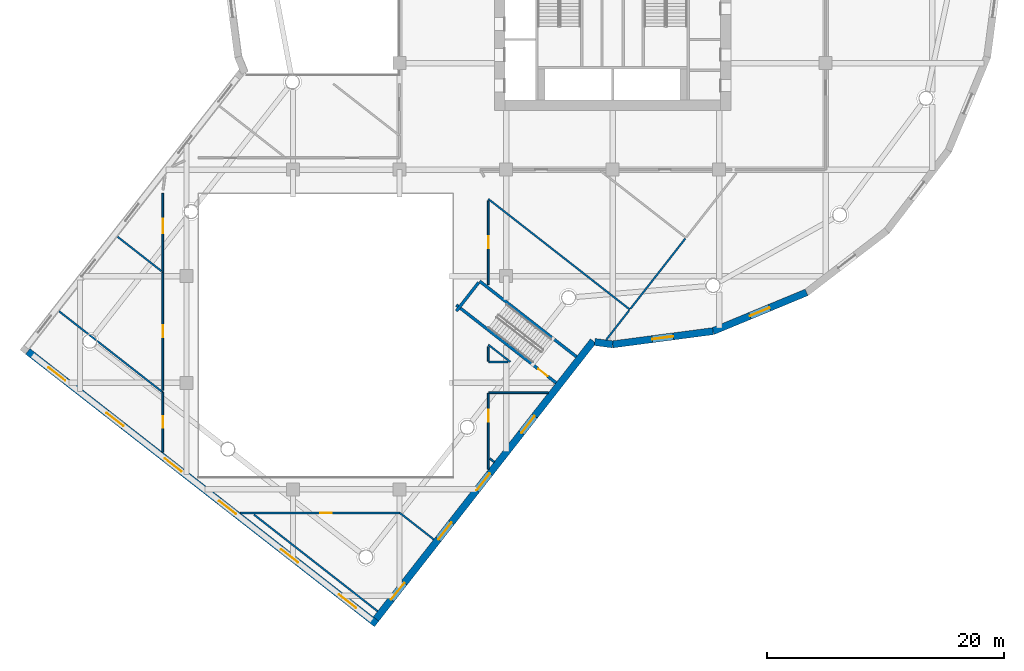
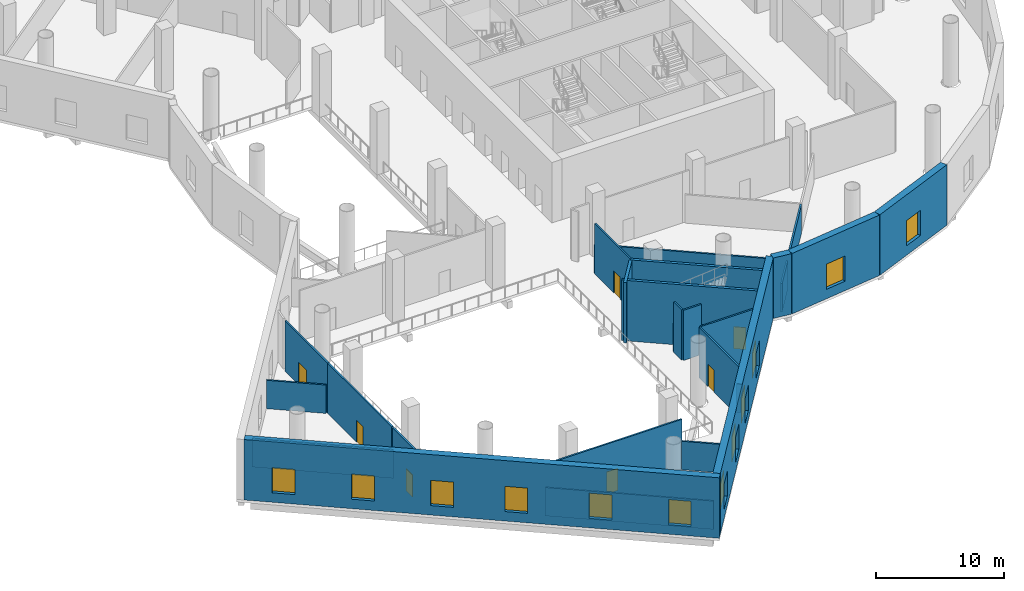
# One storey, part 4 of 24: 26 walls, 12 windows, 7 doors, 19 openings.
"""IFC4 building model written with IfcOpenShell, lengths in metres."""

from ifc_helpers import new_model, si_unit, direction, frame, frame_2d, origin, place, context, subcontext, project, spatial, rectangle, extrude, material, layer, layer_set, type_object, element, fill, save


model = new_model("IFC4")

# Units and contexts
model_context = context("Model", 3, precision=1e-05, world=origin(), true_north=direction((0.0, 1.0)))
body_context = subcontext(model_context, "Body", "Model", "MODEL_VIEW")
ifc_project = project(units=[si_unit("LENGTHUNIT", "METRE"), si_unit("AREAUNIT", "SQUARE_METRE"), si_unit("VOLUMEUNIT", "CUBIC_METRE"), si_unit("PLANEANGLEUNIT", "RADIAN"), si_unit("MASSUNIT", "GRAM", prefix="KILO")], contexts=[model_context])

# Site, building, storey
site_placement = place(None, origin())
site = spatial("IfcSite", under=ifc_project, at=site_placement, CompositionType="ELEMENT")
building_placement = place(site_placement, origin())
building = spatial("IfcBuilding", under=site, at=building_placement, Name="Tarsis Ring Headquarters", CompositionType="ELEMENT")
storey_placement = place(building_placement, frame((0.0, 0.0, 8.0)))
storey = spatial("IfcBuildingStorey", under=building, at=storey_placement, Name="L01", CompositionType="ELEMENT", Elevation=8.0)

# Walls
ifc_material_1 = material(Name="Plasterboard partition")
ifc_layer_1 = layer(ifc_material_1, 0.14990234375)
ifc_layer_set_1 = layer_set([ifc_layer_1], Name="PO-PW150")
wall_type_1 = type_object("IfcWallType", Name="PO-PW150", PredefinedType="PARTITIONING", material=ifc_layer_set_1)
wall_1_placement = place(storey_placement, frame((-10.5, -20.476318359375, 0.0), z_axis=(0.0, 0.0, 1.0), x_axis=(0.788007779371, -0.615665282155, 0.0)))
element("IfcWall", 1, at=wall_1_placement, inside=storey, type_object=wall_type_1, Name="L01 partition wall 6", PredefinedType="PARTITIONING", context=body_context, shape_type="SweptSolid", body=[
    extrude(rectangle(XDim=15.16748046875, YDim=0.14990234375, at=frame_2d((7.583740234375, 0.0))), origin(), (0.0, 0.0, 1.0), 2.699951171875),
])
wall_2_placement = place(storey_placement, frame((-30.3037109375, -47.135498046875, 0.0), z_axis=(0.0, 0.0, 1.0), x_axis=(0.788019907559, -0.615649758621, 0.0)))
element("IfcWall", 2, at=wall_2_placement, inside=storey, type_object=wall_type_1, Name="L01 partition wall 9", PredefinedType="PARTITIONING", context=body_context, shape_type="SweptSolid", body=[
    extrude(rectangle(XDim=13.260009765625, YDim=0.14990234375, at=frame_2d((6.6298828125, 0.0))), origin(), (0.0, 0.0, 1.0), 2.699951171875),
])
wall_3_placement = place(storey_placement, frame((-46.760009765625, -29.963623046875, 0.0), z_axis=(0.0, 0.0, 1.0), x_axis=(0.788014051932, -0.615657253639, 0.0)))
element("IfcWall", 3, at=wall_3_placement, inside=storey, type_object=wall_type_1, Name="L01 partition wall 11", PredefinedType="PARTITIONING", context=body_context, shape_type="SweptSolid", body=[
    extrude(rectangle(XDim=11.116455078125, YDim=0.14990234375, at=frame_2d((5.55810546875, 0.0))), origin(), (0.0, 0.0, 1.0), 2.699951171875),
])
wall_4_placement = place(storey_placement, frame((1.50146484375, -29.75146484375, 0.0), z_axis=(0.0, 0.0, 1.0), x_axis=(0.615658493722, 0.788013083082, 0.0)))
element("IfcWall", 4, at=wall_4_placement, inside=storey, type_object=wall_type_1, Name="L01 partition wall 31", PredefinedType="PARTITIONING", context=body_context, shape_type="SweptSolid", body=[
    extrude(rectangle(XDim=7.5400390625, YDim=0.14990234375, at=frame_2d((3.77001953125, 0.0))), origin(), (0.0, 0.0, 1.0), 2.699951171875),
])
wall_5_placement = place(storey_placement, frame((-38.1259765625, -26.55712890625, 0.0), z_axis=(0.0, 0.0, 1.0), x_axis=(-0.787998420938, 0.615677260096, 0.0)))
element("IfcWall", 5, at=wall_5_placement, inside=storey, type_object=wall_type_1, Name="L01 partition wall 58", PredefinedType="PARTITIONING", context=body_context, shape_type="SweptSolid", body=[
    extrude(rectangle(XDim=4.70654296875, YDim=0.14990234375, at=frame_2d((2.353271484375, 0.0))), origin(), (0.0, 0.0, 1.0), 2.699951171875),
])
wall_6_placement = place(storey_placement, frame((-15.114013671875, -49.2314453125, 0.0), z_axis=(0.0, 0.0, 1.0), x_axis=(-0.788019267737, 0.615650577581, 0.0)))
element("IfcWall", 6, at=wall_6_placement, inside=storey, type_object=wall_type_1, Name="L01 partition wall 67", PredefinedType="PARTITIONING", context=body_context, shape_type="SweptSolid", body=[
    extrude(rectangle(XDim=3.62451171875, YDim=0.14990234375, at=frame_2d((1.812255859375, 0.0))), origin(), (0.0, 0.0, 1.0), 2.699951171875),
])
wall_7_placement = place(storey_placement, frame((-0.553955078125, -32.38232421875, 0.0), z_axis=(0.0, 0.0, 1.0), x_axis=(0.61566192707, 0.788010400665, 0.0)))
element("IfcWall", 7, at=wall_7_placement, inside=storey, type_object=wall_type_1, Name="L01 partition wall 70", PredefinedType="PARTITIONING", context=body_context, shape_type="SweptSolid", body=[
    extrude(rectangle(XDim=3.1787109375, YDim=0.14990234375, at=frame_2d((1.58935546875, 0.0))), origin(), (0.0, 0.0, 1.0), 2.699951171875),
])
wall_8_placement = place(storey_placement, frame((-8.638671875, -34.239990234375, 0.0), z_axis=(0.0, 0.0, 1.0), x_axis=(-0.788036909966, 0.615627995246, 0.0)))
element("IfcWall", 8, at=wall_8_placement, inside=storey, type_object=wall_type_1, Name="L01 partition wall 86", PredefinedType="PARTITIONING", context=body_context, shape_type="SweptSolid", body=[
    extrude(rectangle(XDim=2.362060546875, YDim=0.14990234375, at=frame_2d((1.18115234375, 0.0))), origin(), (0.0, 0.0, 1.0), 2.699951171875),
])
wall_9_placement = place(storey_placement, frame((-10.3740234375, -42.40185546875, 0.0), z_axis=(0.0, 0.0, 1.0), x_axis=(0.788118943087, -0.615522974021, 0.0)))
element("IfcWall", 9, at=wall_9_placement, inside=storey, type_object=wall_type_1, Name="L01 partition wall 121", PredefinedType="PARTITIONING", context=body_context, shape_type="SweptSolid", body=[
    extrude(rectangle(XDim=0.4697265625, YDim=0.14990234375, at=frame_2d((0.23486328125, 0.0))), origin(), (0.0, 0.0, 1.0), 2.699951171875),
])

# Wall, opening, door
ifc_layer_2 = layer(ifc_material_1, 0.14990234375)
ifc_layer_set_2 = layer_set([ifc_layer_2], Name="PO-PW150R-4783")
wall_type_2 = type_object("IfcWallType", Name="PO-PW150R-4783", PredefinedType="PARTITIONING", material=ifc_layer_set_2)
wall_10_placement = place(storey_placement, frame((-17.97021484375, -47.0, 0.0), z_axis=(0.0, 0.0, 1.0), x_axis=(-1.0, 0.0, 0.0)))
wall_10 = element("IfcWall", 10, at=wall_10_placement, inside=storey, type_object=wall_type_2, Name="L01 partition wall 8", PredefinedType="PARTITIONING", context=body_context, shape_type="SweptSolid", body=[
    extrude(rectangle(XDim=13.481201171875, YDim=0.14990234375, at=frame_2d((6.74072265625, 0.0))), origin(), (0.0, 0.0, 1.0), 4.782958984375),
])
opening_1_placement = place(wall_10_placement, frame((5.75, 0.0, 0.0)))
opening_1 = element("IfcOpeningElement", 11, at=opening_1_placement, cuts=wall_10, Name="Opening PO-D1", PredefinedType="OPENING", context=body_context, shape_type="SweptSolid", body=[
    extrude(rectangle(XDim=1.0, YDim=2.10009765625, at=frame_2d((0.5, 1.050048828125))), frame((0.0, 0.0849609375, 0.0), z_axis=(0.0, -1.0, 0.0), x_axis=(1.0, 0.0, 0.0)), (0.0, 0.0, 1.0), 0.169921875),
])
ifc_material_2 = material(Name="Timber door", Category="wood")
door_type_1 = type_object("IfcDoorType", Name="PO-D1000", OperationType="NOTDEFINED", PredefinedType="DOOR", material=ifc_material_2)
door_1_placement = place(opening_1_placement, origin())
door_1 = element("IfcDoor", 12, at=door_1_placement, inside=storey, type_object=door_type_1, Name="Artists' lounge door", OperationType="SINGLE_SWING_RIGHT", OverallHeight=2.10009765625, OverallWidth=1.0, PredefinedType="DOOR", context=body_context, shape_type="SweptSolid", body=[
    extrude(rectangle(XDim=1.0, YDim=2.10009765625, at=frame_2d((0.5, 1.050048828125))), frame((0.0, 0.02490234375, 0.0), z_axis=(0.0, -1.0, 0.0), x_axis=(1.0, 0.0, 0.0)), (0.0, 0.0, 1.0), 0.050048828125),
])
fill(opening_1, door_1)

wall_11_placement = place(storey_placement, frame((-38.0, -36.647705078125, 0.0), z_axis=(0.0, 0.0, 1.0), x_axis=(0.0, 1.0, 0.0)))
wall_11 = element("IfcWall", 13, at=wall_11_placement, inside=storey, type_object=wall_type_2, Name="L01 partition wall 22", PredefinedType="PARTITIONING", context=body_context, shape_type="SweptSolid", body=[
    extrude(rectangle(XDim=9.9921875, YDim=0.14990234375, at=frame_2d((4.99609375, 0.0))), origin(), (0.0, 0.0, 1.0), 4.782958984375),
])
opening_2_placement = place(wall_11_placement, frame((4.488525390625, 0.0, 0.0)))
opening_2 = element("IfcOpeningElement", 14, at=opening_2_placement, cuts=wall_11, Name="Opening PO-D1", PredefinedType="OPENING", context=body_context, shape_type="SweptSolid", body=[
    extrude(rectangle(XDim=1.0, YDim=2.10009765625, at=frame_2d((0.5, 1.050048828125))), frame((0.0, 0.0849609375, 0.0), z_axis=(0.0, -1.0, 0.0), x_axis=(1.0, 0.0, 0.0)), (0.0, 0.0, 1.0), 0.169921875),
])
door_2_placement = place(opening_2_placement, origin())
door_2 = element("IfcDoor", 15, at=door_2_placement, inside=storey, type_object=door_type_1, Name="Projection room door", OperationType="SINGLE_SWING_RIGHT", OverallHeight=2.10009765625, OverallWidth=1.0, PredefinedType="DOOR", context=body_context, shape_type="SweptSolid", body=[
    extrude(rectangle(XDim=1.0, YDim=2.10009765625, at=frame_2d((0.5, 1.050048828125))), frame((0.0, 0.02490234375, 0.0), z_axis=(0.0, -1.0, 0.0), x_axis=(1.0, 0.0, 0.0)), (0.0, 0.0, 1.0), 0.050048828125),
])
fill(opening_2, door_2)

wall_12_placement = place(storey_placement, frame((-10.5, -20.63623046875, 0.0), z_axis=(0.0, 0.0, 1.0), x_axis=(0.0, -1.0, 0.0)))
wall_12 = element("IfcWall", 16, at=wall_12_placement, inside=storey, type_object=wall_type_2, Name="L01 partition wall 35", PredefinedType="PARTITIONING", context=body_context, shape_type="SweptSolid", body=[
    extrude(rectangle(XDim=7.069091796875, YDim=0.14990234375, at=frame_2d((3.53466796875, 0.0))), origin(), (0.0, 0.0, 1.0), 4.782958984375),
])
opening_3_placement = place(wall_12_placement, frame((2.988525390625, 0.0, 0.0)))
opening_3 = element("IfcOpeningElement", 17, at=opening_3_placement, cuts=wall_12, Name="Opening PO-D1", PredefinedType="OPENING", context=body_context, shape_type="SweptSolid", body=[
    extrude(rectangle(XDim=1.0, YDim=2.10009765625, at=frame_2d((0.5, 1.050048828125))), frame((0.0, 0.0849609375, 0.0), z_axis=(0.0, -1.0, 0.0), x_axis=(1.0, 0.0, 0.0)), (0.0, 0.0, 1.0), 0.169921875),
])
door_3_placement = place(opening_3_placement, origin())
door_3 = element("IfcDoor", 18, at=door_3_placement, inside=storey, type_object=door_type_1, Name="Rehearsal room door", OperationType="SINGLE_SWING_RIGHT", OverallHeight=2.10009765625, OverallWidth=1.0, PredefinedType="DOOR", context=body_context, shape_type="SweptSolid", body=[
    extrude(rectangle(XDim=1.0, YDim=2.10009765625, at=frame_2d((0.5, 1.050048828125))), frame((0.0, 0.02490234375, 0.0), z_axis=(0.0, -1.0, 0.0), x_axis=(1.0, 0.0, 0.0)), (0.0, 0.0, 1.0), 0.050048828125),
])
fill(opening_3, door_3)

wall_13_placement = place(storey_placement, frame((-38.0, -26.654296875, 0.0), z_axis=(0.0, 0.0, 1.0), x_axis=(0.0, 1.0, 0.0)))
wall_13 = element("IfcWall", 19, at=wall_13_placement, inside=storey, type_object=wall_type_2, Name="L01 partition wall 41", PredefinedType="PARTITIONING", context=body_context, shape_type="SweptSolid", body=[
    extrude(rectangle(XDim=6.654296875, YDim=0.14990234375, at=frame_2d((3.3271484375, 0.0))), origin(), (0.0, 0.0, 1.0), 4.782958984375),
])
opening_4_placement = place(wall_13_placement, frame((3.298583984375, 0.0, 0.0)))
opening_4 = element("IfcOpeningElement", 20, at=opening_4_placement, cuts=wall_13, Name="Opening PO-D2", PredefinedType="OPENING", context=body_context, shape_type="SweptSolid", body=[
    extrude(rectangle(XDim=1.199951171875, YDim=2.10009765625, at=frame_2d((0.60009765625, 1.050048828125))), frame((0.0, 0.0849609375, 0.0), z_axis=(0.0, -1.0, 0.0), x_axis=(1.0, 0.0, 0.0)), (0.0, 0.0, 1.0), 0.169921875),
])
door_type_2 = type_object("IfcDoorType", Name="PO-D1200", OperationType="NOTDEFINED", PredefinedType="DOOR", material=ifc_material_2)
door_4_placement = place(opening_4_placement, origin())
door_4 = element("IfcDoor", 21, at=door_4_placement, inside=storey, type_object=door_type_2, Name="Staff restaurant terrace lounge door", OperationType="SINGLE_SWING_RIGHT", OverallHeight=2.10009765625, OverallWidth=1.199951171875, PredefinedType="DOOR", context=body_context, shape_type="SweptSolid", body=[
    extrude(rectangle(XDim=1.199951171875, YDim=2.10009765625, at=frame_2d((0.60009765625, 1.050048828125))), frame((0.0, 0.02490234375, 0.0), z_axis=(0.0, -1.0, 0.0), x_axis=(1.0, 0.0, 0.0)), (0.0, 0.0, 1.0), 0.050048828125),
])
fill(opening_4, door_4)

wall_14_placement = place(storey_placement, frame((-10.5, -36.89990234375, 0.0), z_axis=(0.0, 0.0, 1.0), x_axis=(0.0, -1.0, 0.0)))
wall_14 = element("IfcWall", 22, at=wall_14_placement, inside=storey, type_object=wall_type_2, Name="L01 partition wall 42", PredefinedType="PARTITIONING", context=body_context, shape_type="SweptSolid", body=[
    extrude(rectangle(XDim=6.426025390625, YDim=0.14990234375, at=frame_2d((3.212890625, 0.0))), origin(), (0.0, 0.0, 1.0), 4.782958984375),
])
opening_5_placement = place(wall_14_placement, frame((1.385986328125, 0.0, 0.0)))
opening_5 = element("IfcOpeningElement", 23, at=opening_5_placement, cuts=wall_14, Name="Opening PO-D1", PredefinedType="OPENING", context=body_context, shape_type="SweptSolid", body=[
    extrude(rectangle(XDim=1.0, YDim=2.10009765625, at=frame_2d((0.5, 1.050048828125))), frame((0.0, 0.0849609375, 0.0), z_axis=(0.0, -1.0, 0.0), x_axis=(1.0, 0.0, 0.0)), (0.0, 0.0, 1.0), 0.169921875),
])
door_5_placement = place(opening_5_placement, origin())
door_5 = element("IfcDoor", 24, at=door_5_placement, inside=storey, type_object=door_type_1, Name="Production office door", OperationType="SINGLE_SWING_LEFT", OverallHeight=2.10009765625, OverallWidth=1.0, PredefinedType="DOOR", context=body_context, shape_type="SweptSolid", body=[
    extrude(rectangle(XDim=1.0, YDim=2.10009765625, at=frame_2d((0.5, 1.050048828125))), frame((0.0, 0.02490234375, 0.0), z_axis=(0.0, -1.0, 0.0), x_axis=(1.0, 0.0, 0.0)), (0.0, 0.0, 1.0), 0.050048828125),
])
fill(opening_5, door_5)

wall_15_placement = place(storey_placement, frame((-38.0, -41.8837890625, 0.0), z_axis=(0.0, 0.0, 1.0), x_axis=(0.0, 1.0, 0.0)))
wall_15 = element("IfcWall", 25, at=wall_15_placement, inside=storey, type_object=wall_type_2, Name="L01 partition wall 56", PredefinedType="PARTITIONING", context=body_context, shape_type="SweptSolid", body=[
    extrude(rectangle(XDim=5.076171875, YDim=0.14990234375, at=frame_2d((2.5380859375, 0.0))), origin(), (0.0, 0.0, 1.0), 4.782958984375),
])
opening_6_placement = place(wall_15_placement, frame((2.0634765625, 0.0, 0.0)))
opening_6 = element("IfcOpeningElement", 26, at=opening_6_placement, cuts=wall_15, Name="Opening PO-D1", PredefinedType="OPENING", context=body_context, shape_type="SweptSolid", body=[
    extrude(rectangle(XDim=1.0, YDim=2.10009765625, at=frame_2d((0.5, 1.050048828125))), frame((0.0, 0.0849609375, 0.0), z_axis=(0.0, -1.0, 0.0), x_axis=(1.0, 0.0, 0.0)), (0.0, 0.0, 1.0), 0.169921875),
])
door_6_placement = place(opening_6_placement, origin())
door_6 = element("IfcDoor", 27, at=door_6_placement, inside=storey, type_object=door_type_1, Name="Rehearsal room door", OperationType="SINGLE_SWING_LEFT", OverallHeight=2.10009765625, OverallWidth=1.0, PredefinedType="DOOR", context=body_context, shape_type="SweptSolid", body=[
    extrude(rectangle(XDim=1.0, YDim=2.10009765625, at=frame_2d((0.5, 1.050048828125))), frame((0.0, 0.02490234375, 0.0), z_axis=(0.0, -1.0, 0.0), x_axis=(1.0, 0.0, 0.0)), (0.0, 0.0, 1.0), 0.050048828125),
])
fill(opening_6, door_6)

# Walls
wall_16_placement = place(storey_placement, frame((-5.4326171875, -36.840087890625, 0.0), z_axis=(0.0, 0.0, 1.0), x_axis=(-1.0, 0.0, 0.0)))
element("IfcWall", 28, at=wall_16_placement, inside=storey, type_object=wall_type_2, Name="L01 partition wall 57", PredefinedType="PARTITIONING", context=body_context, shape_type="SweptSolid", body=[
    extrude(rectangle(XDim=5.02734375, YDim=0.14990234375, at=frame_2d((2.513671875, 0.0))), origin(), (0.0, 0.0, 1.0), 4.782958984375),
])
wall_17_placement = place(storey_placement, frame((-10.4599609375, -34.239990234375, 0.0), z_axis=(0.0, 0.0, 1.0), x_axis=(1.0, 0.0, 0.0)))
element("IfcWall", 29, at=wall_17_placement, inside=storey, type_object=wall_type_2, Name="L01 partition wall 94", PredefinedType="PARTITIONING", context=body_context, shape_type="SweptSolid", body=[
    extrude(rectangle(XDim=1.601318359375, YDim=0.14990234375, at=frame_2d((0.80078125, 0.0))), origin(), (0.0, 0.0, 1.0), 4.782958984375),
])
wall_18_placement = place(storey_placement, frame((-10.5, -32.94580078125, 0.0), z_axis=(0.0, 0.0, 1.0), x_axis=(0.0, -1.0, 0.0)))
element("IfcWall", 30, at=wall_18_placement, inside=storey, type_object=wall_type_2, Name="L01 partition wall 104", PredefinedType="PARTITIONING", context=body_context, shape_type="SweptSolid", body=[
    extrude(rectangle(XDim=1.234375, YDim=0.14990234375, at=frame_2d((0.6171875, 0.0))), origin(), (0.0, 0.0, 1.0), 4.782958984375),
])
ifc_material_3 = material(Name="Concrete C40/50", Category="concrete")
ifc_layer_3 = layer(ifc_material_3, 0.25)
ifc_layer_set_3 = layer_set([ifc_layer_3], Name="PO-W250")
wall_type_3 = type_object("IfcWallType", Name="PO-W250", PredefinedType="SOLIDWALL", material=ifc_layer_set_3)
wall_19_placement = place(storey_placement, frame((-11.23193359375, -27.41943359375, 0.0), z_axis=(0.0, 0.0, 1.0), x_axis=(0.788273447376, -0.615325094696, 0.0)))
element("IfcWall", 31, at=wall_19_placement, inside=storey, type_object=wall_type_3, Name="L01 shaft wall 13", PredefinedType="SOLIDWALL", context=body_context, shape_type="SweptSolid", body=[
    extrude(rectangle(XDim=10.369873046875, YDim=0.25, at=frame_2d((5.18505859375, 0.0))), origin(), (0.0, 0.0, 1.0), 5.75),
])

# Wall, opening, door
wall_20_placement = place(storey_placement, frame((-4.781494140625, -36.006591796875, 0.0), z_axis=(0.0, 0.0, 1.0), x_axis=(-0.788280084087, 0.615316592521, 0.0)))
wall_20 = element("IfcWall", 32, at=wall_20_placement, inside=storey, type_object=wall_type_3, Name="L01 shaft wall 16", PredefinedType="SOLIDWALL", context=body_context, shape_type="SweptSolid", body=[
    extrude(rectangle(XDim=10.679443359375, YDim=0.25, at=frame_2d((5.33984375, 0.0))), origin(), (0.0, 0.0, 1.0), 5.75),
])
opening_7_placement = place(wall_20_placement, frame((0.903564453125, 0.0, 0.0)))
opening_7 = element("IfcOpeningElement", 33, at=opening_7_placement, cuts=wall_20, Name="Opening PO-D3", PredefinedType="OPENING", context=body_context, shape_type="SweptSolid", body=[
    extrude(rectangle(XDim=1.0, YDim=2.10009765625, at=frame_2d((0.5, 1.050048828125))), frame((0.0, 0.135009765625, 0.0), z_axis=(0.0, -1.0, 0.0), x_axis=(1.0, 0.0, 0.0)), (0.0, 0.0, 1.0), 0.27001953125),
])
ifc_material_4 = material(Name="Steel fire door", Category="steel")
door_type_3 = type_object("IfcDoorType", Name="PO-D1000F", OperationType="SINGLE_SWING_LEFT", PredefinedType="DOOR", material=ifc_material_4)
door_7_placement = place(opening_7_placement, origin())
door_7 = element("IfcDoor", 34, at=door_7_placement, inside=storey, type_object=door_type_3, Name="Exit stair 2 door", OperationType="SINGLE_SWING_LEFT", OverallHeight=2.10009765625, OverallWidth=1.0, PredefinedType="DOOR", context=body_context, shape_type="SweptSolid", body=[
    extrude(rectangle(XDim=1.0, YDim=2.10009765625, at=frame_2d((0.5, 1.050048828125))), frame((0.0, 0.02490234375, 0.0), z_axis=(0.0, -1.0, 0.0), x_axis=(1.0, 0.0, 0.0)), (0.0, 0.0, 1.0), 0.050048828125),
])
fill(opening_7, door_7)

# Wall
wall_21_placement = place(storey_placement, frame((-13.199951171875, -29.940673828125, 0.0), z_axis=(0.0, 0.0, 1.0), x_axis=(0.615305829788, 0.788288485156, 0.0)))
element("IfcWall", 35, at=wall_21_placement, inside=storey, type_object=wall_type_3, Name="L01 shaft wall 79", PredefinedType="SOLIDWALL", context=body_context, shape_type="SweptSolid", body=[
    extrude(rectangle(XDim=3.068359375, YDim=0.25, at=frame_2d((1.5341796875, 0.0))), origin(), (0.0, 0.0, 1.0), 5.75),
])

# Wall, openings, windows
ifc_material_5 = material(Name="Concrete C60/75", Category="concrete")
ifc_layer_4 = layer(ifc_material_5, 0.60009765625)
ifc_layer_set_4 = layer_set([ifc_layer_4], Name="PO-W600")
wall_type_4 = type_object("IfcWallType", Name="PO-W600", PredefinedType="SOLIDWALL", material=ifc_layer_set_4)
wall_22_placement = place(storey_placement, frame((-49.407470703125, -33.35205078125, 0.0), z_axis=(0.0, 0.0, 1.0), x_axis=(0.788012893483, -0.615658736399, 0.0)))
wall_22 = element("IfcWall", 36, at=wall_22_placement, inside=storey, type_object=wall_type_4, Name="L01 external wall 7", PredefinedType="SOLIDWALL", context=body_context, shape_type="SweptSolid", body=[
    extrude(rectangle(XDim=37.39990234375, YDim=0.60009765625, at=frame_2d((18.699951171875, 0.0))), origin(), (0.0, 0.0, 1.0), 5.75),
])
opening_8_placement = place(wall_22_placement, frame((2.216552734375, 0.0, 0.89990234375)))
opening_8 = element("IfcOpeningElement", 37, at=opening_8_placement, cuts=wall_22, Name="Opening PO-WN1", PredefinedType="OPENING", context=body_context, shape_type="SweptSolid", body=[
    extrude(rectangle(XDim=1.800048828125, YDim=2.39990234375, at=frame_2d((0.89990234375, 1.199951171875))), frame((0.0, 0.31005859375, 0.0), z_axis=(0.0, -1.0, 0.0), x_axis=(1.0, 0.0, 0.0)), (0.0, 0.0, 1.0), 0.6201171875),
])
opening_9_placement = place(wall_22_placement, frame((8.449951171875, 0.0, 0.89990234375)))
opening_9 = element("IfcOpeningElement", 38, at=opening_9_placement, cuts=wall_22, Name="Opening PO-WN1", PredefinedType="OPENING", context=body_context, shape_type="SweptSolid", body=[
    extrude(rectangle(XDim=1.800048828125, YDim=2.39990234375, at=frame_2d((0.89990234375, 1.199951171875))), frame((0.0, 0.31005859375, 0.0), z_axis=(0.0, -1.0, 0.0), x_axis=(1.0, 0.0, 0.0)), (0.0, 0.0, 1.0), 0.6201171875),
])
opening_10_placement = place(wall_22_placement, frame((14.683349609375, 0.0, 0.89990234375)))
opening_10 = element("IfcOpeningElement", 39, at=opening_10_placement, cuts=wall_22, Name="Opening PO-WN1", PredefinedType="OPENING", context=body_context, shape_type="SweptSolid", body=[
    extrude(rectangle(XDim=1.800048828125, YDim=2.39990234375, at=frame_2d((0.89990234375, 1.199951171875))), frame((0.0, 0.31005859375, 0.0), z_axis=(0.0, -1.0, 0.0), x_axis=(1.0, 0.0, 0.0)), (0.0, 0.0, 1.0), 0.6201171875),
])
opening_11_placement = place(wall_22_placement, frame((20.5166015625, 0.0, 0.89990234375)))
opening_11 = element("IfcOpeningElement", 40, at=opening_11_placement, cuts=wall_22, Name="Opening PO-WN1", PredefinedType="OPENING", context=body_context, shape_type="SweptSolid", body=[
    extrude(rectangle(XDim=1.800048828125, YDim=2.39990234375, at=frame_2d((0.89990234375, 1.199951171875))), frame((0.0, 0.31005859375, 0.0), z_axis=(0.0, -1.0, 0.0), x_axis=(1.0, 0.0, 0.0)), (0.0, 0.0, 1.0), 0.6201171875),
])
opening_12_placement = place(wall_22_placement, frame((27.14990234375, 0.0, 0.89990234375)))
opening_12 = element("IfcOpeningElement", 41, at=opening_12_placement, cuts=wall_22, Name="Opening PO-WN1", PredefinedType="OPENING", context=body_context, shape_type="SweptSolid", body=[
    extrude(rectangle(XDim=1.800048828125, YDim=2.39990234375, at=frame_2d((0.89990234375, 1.199951171875))), frame((0.0, 0.31005859375, 0.0), z_axis=(0.0, -1.0, 0.0), x_axis=(1.0, 0.0, 0.0)), (0.0, 0.0, 1.0), 0.6201171875),
])
opening_13_placement = place(wall_22_placement, frame((33.38330078125, 0.0, 0.89990234375)))
opening_13 = element("IfcOpeningElement", 42, at=opening_13_placement, cuts=wall_22, Name="Opening PO-WN1", PredefinedType="OPENING", context=body_context, shape_type="SweptSolid", body=[
    extrude(rectangle(XDim=1.800048828125, YDim=2.39990234375, at=frame_2d((0.89990234375, 1.199951171875))), frame((0.0, 0.31005859375, 0.0), z_axis=(0.0, -1.0, 0.0), x_axis=(1.0, 0.0, 0.0)), (0.0, 0.0, 1.0), 0.6201171875),
])
ifc_material_6 = material(Name="Double glazing", Category="glass")
window_type = type_object("IfcWindowType", Name="PO-WN1800", PartitioningType="SINGLE_PANEL", PredefinedType="WINDOW", material=ifc_material_6)
window_1_placement = place(opening_8_placement, origin())
window_1 = element("IfcWindow", 43, at=window_1_placement, inside=storey, type_object=window_type, Name="L01 window 7.1", OverallHeight=2.39990234375, OverallWidth=1.800048828125, PartitioningType="SINGLE_PANEL", PredefinedType="WINDOW", context=body_context, shape_type="SweptSolid", body=[
    extrude(rectangle(XDim=1.800048828125, YDim=2.39990234375, at=frame_2d((0.89990234375, 1.199951171875))), frame((0.0, 0.030029296875, 0.0), z_axis=(0.0, -1.0, 0.0), x_axis=(1.0, 0.0, 0.0)), (0.0, 0.0, 1.0), 0.06005859375),
])
fill(opening_8, window_1)
window_2_placement = place(opening_9_placement, origin())
window_2 = element("IfcWindow", 44, at=window_2_placement, inside=storey, type_object=window_type, Name="L01 window 7.2", OverallHeight=2.39990234375, OverallWidth=1.800048828125, PartitioningType="SINGLE_PANEL", PredefinedType="WINDOW", context=body_context, shape_type="SweptSolid", body=[
    extrude(rectangle(XDim=1.800048828125, YDim=2.39990234375, at=frame_2d((0.89990234375, 1.199951171875))), frame((0.0, 0.030029296875, 0.0), z_axis=(0.0, -1.0, 0.0), x_axis=(1.0, 0.0, 0.0)), (0.0, 0.0, 1.0), 0.06005859375),
])
fill(opening_9, window_2)
window_3_placement = place(opening_10_placement, origin())
window_3 = element("IfcWindow", 45, at=window_3_placement, inside=storey, type_object=window_type, Name="L01 window 7.3", OverallHeight=2.39990234375, OverallWidth=1.800048828125, PartitioningType="SINGLE_PANEL", PredefinedType="WINDOW", context=body_context, shape_type="SweptSolid", body=[
    extrude(rectangle(XDim=1.800048828125, YDim=2.39990234375, at=frame_2d((0.89990234375, 1.199951171875))), frame((0.0, 0.030029296875, 0.0), z_axis=(0.0, -1.0, 0.0), x_axis=(1.0, 0.0, 0.0)), (0.0, 0.0, 1.0), 0.06005859375),
])
fill(opening_10, window_3)
window_4_placement = place(opening_11_placement, origin())
window_4 = element("IfcWindow", 46, at=window_4_placement, inside=storey, type_object=window_type, Name="L01 window 7.4", OverallHeight=2.39990234375, OverallWidth=1.800048828125, PartitioningType="SINGLE_PANEL", PredefinedType="WINDOW", context=body_context, shape_type="SweptSolid", body=[
    extrude(rectangle(XDim=1.800048828125, YDim=2.39990234375, at=frame_2d((0.89990234375, 1.199951171875))), frame((0.0, 0.030029296875, 0.0), z_axis=(0.0, -1.0, 0.0), x_axis=(1.0, 0.0, 0.0)), (0.0, 0.0, 1.0), 0.06005859375),
])
fill(opening_11, window_4)
window_5_placement = place(opening_12_placement, origin())
window_5 = element("IfcWindow", 47, at=window_5_placement, inside=storey, type_object=window_type, Name="L01 window 7.5", OverallHeight=2.39990234375, OverallWidth=1.800048828125, PartitioningType="SINGLE_PANEL", PredefinedType="WINDOW", context=body_context, shape_type="SweptSolid", body=[
    extrude(rectangle(XDim=1.800048828125, YDim=2.39990234375, at=frame_2d((0.89990234375, 1.199951171875))), frame((0.0, 0.030029296875, 0.0), z_axis=(0.0, -1.0, 0.0), x_axis=(1.0, 0.0, 0.0)), (0.0, 0.0, 1.0), 0.06005859375),
])
fill(opening_12, window_5)
window_6_placement = place(opening_13_placement, origin())
window_6 = element("IfcWindow", 48, at=window_6_placement, inside=storey, type_object=window_type, Name="L01 window 7.6", OverallHeight=2.39990234375, OverallWidth=1.800048828125, PartitioningType="SINGLE_PANEL", PredefinedType="WINDOW", context=body_context, shape_type="SweptSolid", body=[
    extrude(rectangle(XDim=1.800048828125, YDim=2.39990234375, at=frame_2d((0.89990234375, 1.199951171875))), frame((0.0, 0.030029296875, 0.0), z_axis=(0.0, -1.0, 0.0), x_axis=(1.0, 0.0, 0.0)), (0.0, 0.0, 1.0), 0.06005859375),
])
fill(opening_13, window_6)

wall_23_placement = place(storey_placement, frame((-19.987548828125, -55.956787109375, 0.0), z_axis=(0.0, 0.0, 1.0), x_axis=(0.615659303268, 0.7880124506, 0.0)))
wall_23 = element("IfcWall", 49, at=wall_23_placement, inside=storey, type_object=wall_type_4, Name="L01 external wall 8", PredefinedType="SOLIDWALL", context=body_context, shape_type="SweptSolid", body=[
    extrude(rectangle(XDim=29.802001953125, YDim=0.60009765625, at=frame_2d((14.90087890625, 0.0))), origin(), (0.0, 0.0, 1.0), 5.75),
])
opening_14_placement = place(wall_23_placement, frame((2.080078125, 0.0, 0.89990234375)))
opening_14 = element("IfcOpeningElement", 50, at=opening_14_placement, cuts=wall_23, Name="Opening PO-WN1", PredefinedType="OPENING", context=body_context, shape_type="SweptSolid", body=[
    extrude(rectangle(XDim=1.800048828125, YDim=2.39990234375, at=frame_2d((0.89990234375, 1.199951171875))), frame((0.0, 0.31005859375, 0.0), z_axis=(0.0, -1.0, 0.0), x_axis=(1.0, 0.0, 0.0)), (0.0, 0.0, 1.0), 0.6201171875),
])
opening_15_placement = place(wall_23_placement, frame((8.54052734375, 0.0, 0.89990234375)))
opening_15 = element("IfcOpeningElement", 51, at=opening_15_placement, cuts=wall_23, Name="Opening PO-WN1", PredefinedType="OPENING", context=body_context, shape_type="SweptSolid", body=[
    extrude(rectangle(XDim=1.800048828125, YDim=2.39990234375, at=frame_2d((0.89990234375, 1.199951171875))), frame((0.0, 0.31005859375, 0.0), z_axis=(0.0, -1.0, 0.0), x_axis=(1.0, 0.0, 0.0)), (0.0, 0.0, 1.0), 0.6201171875),
])
opening_16_placement = place(wall_23_placement, frame((13.801025390625, 0.0, 0.89990234375)))
opening_16 = element("IfcOpeningElement", 52, at=opening_16_placement, cuts=wall_23, Name="Opening PO-WN1", PredefinedType="OPENING", context=body_context, shape_type="SweptSolid", body=[
    extrude(rectangle(XDim=1.800048828125, YDim=2.39990234375, at=frame_2d((0.89990234375, 1.199951171875))), frame((0.0, 0.31005859375, 0.0), z_axis=(0.0, -1.0, 0.0), x_axis=(1.0, 0.0, 0.0)), (0.0, 0.0, 1.0), 0.6201171875),
])
opening_17_placement = place(wall_23_placement, frame((19.96142578125, 0.0, 0.89990234375)))
opening_17 = element("IfcOpeningElement", 53, at=opening_17_placement, cuts=wall_23, Name="Opening PO-WN1", PredefinedType="OPENING", context=body_context, shape_type="SweptSolid", body=[
    extrude(rectangle(XDim=1.800048828125, YDim=2.39990234375, at=frame_2d((0.89990234375, 1.199951171875))), frame((0.0, 0.31005859375, 0.0), z_axis=(0.0, -1.0, 0.0), x_axis=(1.0, 0.0, 0.0)), (0.0, 0.0, 1.0), 0.6201171875),
])
window_7_placement = place(opening_14_placement, origin())
window_7 = element("IfcWindow", 54, at=window_7_placement, inside=storey, type_object=window_type, Name="L01 window 8.1", OverallHeight=2.39990234375, OverallWidth=1.800048828125, PartitioningType="SINGLE_PANEL", PredefinedType="WINDOW", context=body_context, shape_type="SweptSolid", body=[
    extrude(rectangle(XDim=1.800048828125, YDim=2.39990234375, at=frame_2d((0.89990234375, 1.199951171875))), frame((0.0, 0.030029296875, 0.0), z_axis=(0.0, -1.0, 0.0), x_axis=(1.0, 0.0, 0.0)), (0.0, 0.0, 1.0), 0.06005859375),
])
fill(opening_14, window_7)
window_8_placement = place(opening_15_placement, origin())
window_8 = element("IfcWindow", 55, at=window_8_placement, inside=storey, type_object=window_type, Name="L01 window 8.2", OverallHeight=2.39990234375, OverallWidth=1.800048828125, PartitioningType="SINGLE_PANEL", PredefinedType="WINDOW", context=body_context, shape_type="SweptSolid", body=[
    extrude(rectangle(XDim=1.800048828125, YDim=2.39990234375, at=frame_2d((0.89990234375, 1.199951171875))), frame((0.0, 0.030029296875, 0.0), z_axis=(0.0, -1.0, 0.0), x_axis=(1.0, 0.0, 0.0)), (0.0, 0.0, 1.0), 0.06005859375),
])
fill(opening_15, window_8)
window_9_placement = place(opening_16_placement, origin())
window_9 = element("IfcWindow", 56, at=window_9_placement, inside=storey, type_object=window_type, Name="L01 window 8.3", OverallHeight=2.39990234375, OverallWidth=1.800048828125, PartitioningType="SINGLE_PANEL", PredefinedType="WINDOW", context=body_context, shape_type="SweptSolid", body=[
    extrude(rectangle(XDim=1.800048828125, YDim=2.39990234375, at=frame_2d((0.89990234375, 1.199951171875))), frame((0.0, 0.030029296875, 0.0), z_axis=(0.0, -1.0, 0.0), x_axis=(1.0, 0.0, 0.0)), (0.0, 0.0, 1.0), 0.06005859375),
])
fill(opening_16, window_9)
window_10_placement = place(opening_17_placement, origin())
window_10 = element("IfcWindow", 57, at=window_10_placement, inside=storey, type_object=window_type, Name="L01 window 8.4", OverallHeight=2.39990234375, OverallWidth=1.800048828125, PartitioningType="SINGLE_PANEL", PredefinedType="WINDOW", context=body_context, shape_type="SweptSolid", body=[
    extrude(rectangle(XDim=1.800048828125, YDim=2.39990234375, at=frame_2d((0.89990234375, 1.199951171875))), frame((0.0, 0.030029296875, 0.0), z_axis=(0.0, -1.0, 0.0), x_axis=(1.0, 0.0, 0.0)), (0.0, 0.0, 1.0), 0.06005859375),
])
fill(opening_17, window_10)

# Wall
wall_24_placement = place(storey_placement, frame((-1.510498046875, -32.55908203125, 0.0), z_axis=(0.0, 0.0, 1.0), x_axis=(0.991455931764, -0.130442076686, 0.0)))
element("IfcWall", 58, at=wall_24_placement, inside=storey, type_object=wall_type_4, Name="L01 external wall 9", PredefinedType="SOLIDWALL", context=body_context, shape_type="SweptSolid", body=[
    extrude(rectangle(XDim=1.5234375, YDim=0.60009765625, at=frame_2d((0.76171875, 0.0))), origin(), (0.0, 0.0, 1.0), 5.75),
])

# Wall, opening, window
wall_25_placement = place(storey_placement, frame((0.0, -32.7578125, 0.0), z_axis=(0.0, 0.0, 1.0), x_axis=(0.991444478179, 0.130529102837, 0.0)))
wall_25 = element("IfcWall", 59, at=wall_25_placement, inside=storey, type_object=wall_type_4, Name="L01 external wall 10", PredefinedType="SOLIDWALL", context=body_context, shape_type="SweptSolid", body=[
    extrude(rectangle(XDim=8.551513671875, YDim=0.60009765625, at=frame_2d((4.27587890625, 0.0))), origin(), (0.0, 0.0, 1.0), 5.75),
])
opening_18_placement = place(wall_25_placement, frame((3.375732421875, 0.0, 0.89990234375)))
opening_18 = element("IfcOpeningElement", 60, at=opening_18_placement, cuts=wall_25, Name="Opening PO-WN1", PredefinedType="OPENING", context=body_context, shape_type="SweptSolid", body=[
    extrude(rectangle(XDim=1.800048828125, YDim=2.39990234375, at=frame_2d((0.89990234375, 1.199951171875))), frame((0.0, 0.31005859375, 0.0), z_axis=(0.0, -1.0, 0.0), x_axis=(1.0, 0.0, 0.0)), (0.0, 0.0, 1.0), 0.6201171875),
])
window_11_placement = place(opening_18_placement, origin())
window_11 = element("IfcWindow", 61, at=window_11_placement, inside=storey, type_object=window_type, Name="L01 window 10.1", OverallHeight=2.39990234375, OverallWidth=1.800048828125, PartitioningType="SINGLE_PANEL", PredefinedType="WINDOW", context=body_context, shape_type="SweptSolid", body=[
    extrude(rectangle(XDim=1.800048828125, YDim=2.39990234375, at=frame_2d((0.89990234375, 1.199951171875))), frame((0.0, 0.030029296875, 0.0), z_axis=(0.0, -1.0, 0.0), x_axis=(1.0, 0.0, 0.0)), (0.0, 0.0, 1.0), 0.06005859375),
])
fill(opening_18, window_11)

wall_26_placement = place(storey_placement, frame((8.478271484375, -31.6416015625, 0.0), z_axis=(0.0, 0.0, 1.0), x_axis=(0.923883217595, 0.382674535665, 0.0)))
wall_26 = element("IfcWall", 62, at=wall_26_placement, inside=storey, type_object=wall_type_4, Name="L01 external wall 11", PredefinedType="SOLIDWALL", context=body_context, shape_type="SweptSolid", body=[
    extrude(rectangle(XDim=8.551513671875, YDim=0.60009765625, at=frame_2d((4.27587890625, 0.0))), origin(), (0.0, 0.0, 1.0), 5.75),
])
opening_19_placement = place(wall_26_placement, frame((3.375732421875, 0.0, 0.89990234375)))
opening_19 = element("IfcOpeningElement", 63, at=opening_19_placement, cuts=wall_26, Name="Opening PO-WN1", PredefinedType="OPENING", context=body_context, shape_type="SweptSolid", body=[
    extrude(rectangle(XDim=1.800048828125, YDim=2.39990234375, at=frame_2d((0.89990234375, 1.199951171875))), frame((0.0, 0.31005859375, 0.0), z_axis=(0.0, -1.0, 0.0), x_axis=(1.0, 0.0, 0.0)), (0.0, 0.0, 1.0), 0.6201171875),
])
window_12_placement = place(opening_19_placement, origin())
window_12 = element("IfcWindow", 64, at=window_12_placement, inside=storey, type_object=window_type, Name="L01 window 11.1", OverallHeight=2.39990234375, OverallWidth=1.800048828125, PartitioningType="SINGLE_PANEL", PredefinedType="WINDOW", context=body_context, shape_type="SweptSolid", body=[
    extrude(rectangle(XDim=1.800048828125, YDim=2.39990234375, at=frame_2d((0.89990234375, 1.199951171875))), frame((0.0, 0.030029296875, 0.0), z_axis=(0.0, -1.0, 0.0), x_axis=(1.0, 0.0, 0.0)), (0.0, 0.0, 1.0), 0.06005859375),
])
fill(opening_19, window_12)

save(model, "model.ifc")
